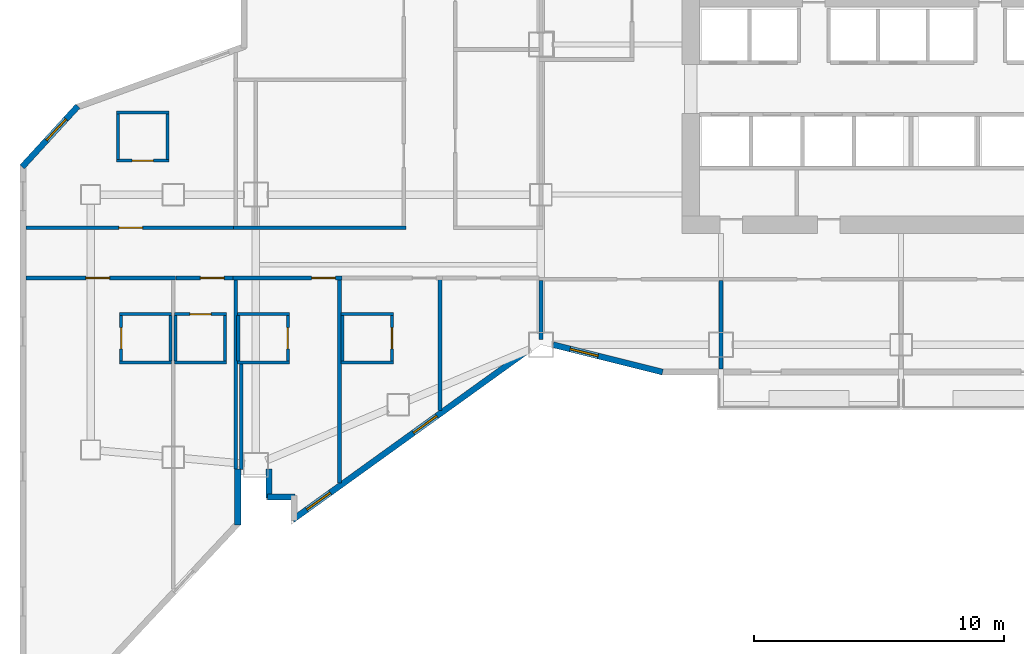
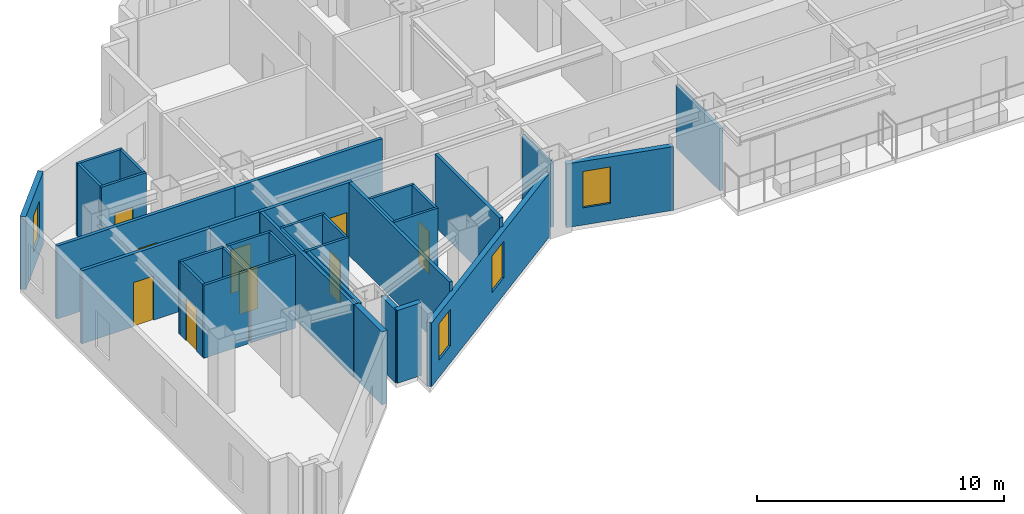
# One storey, part 5 of 14: 37 walls, 9 doors, 4 windows, 13 openings.
"""IFC4 building model written with IfcOpenShell, lengths in metres."""

import ifcopenshell
import ifcopenshell.guid

model = None  # the IFC model being written
_history = None  # IfcOwnerHistory: only IFC2X3 demands one
_inside = {}  # id of a spatial element -> (the spatial element, [elements in it])
_under = {}  # id of a project, library or spatial element -> (it, [spatial elements below it])
_declared = {}  # id of a project -> (the project, [libraries it declares])
_typed = {}  # id of a type object -> (the type object, [elements of that type])
_made_of = {}  # id of a material, layer set ... -> (it, [elements and type objects made of it])


def new_model(schema):
    """Start an empty IFC model of exactly this schema.

    Asked for "IFC4X3", IfcOpenShell would pick the latest addendum, in which some entities
    have other attributes; the version numbers below select the first issue.
    IFC2X3 requires an IfcOwnerHistory on every rooted entity: one is made here for all.
    """
    global model, _history
    if schema == "IFC4X3":
        model = ifcopenshell.file(schema_version=(4, 3, 0, 0))
    else:
        model = ifcopenshell.file(schema=schema)
    _inside.clear()
    _under.clear()
    _declared.clear()
    _typed.clear()
    _made_of.clear()
    _history = None
    if model.schema == "IFC2X3":
        org = make("IfcOrganization", Name="unknown")
        user = make(
            "IfcPersonAndOrganization",
            ThePerson=make("IfcPerson", FamilyName="unknown"),
            TheOrganization=org,
        )
        app = make(
            "IfcApplication",
            ApplicationDeveloper=org,
            Version="unknown",
            ApplicationFullName="unknown",
            ApplicationIdentifier="unknown",
        )
        _history = make(
            "IfcOwnerHistory",
            OwningUser=user,
            OwningApplication=app,
            ChangeAction="ADDED",
            CreationDate=0,
        )
    return model


def make(cls, **values):
    """One entity of the class cls with the attributes given. An attribute that is None is left unset."""
    return model.create_entity(
        cls, **{name: value for name, value in values.items() if value is not None}
    )


def rooted(cls, **values):
    """An entity with a GlobalId (a new one), such as an element, a storey or a relation."""
    return make(cls, GlobalId=ifcopenshell.guid.new(), OwnerHistory=_history, **values)


def si_unit(unit_type, name, prefix=None):
    """IfcSIUnit, for example si_unit("LENGTHUNIT", "METRE", prefix="MILLI")."""
    return make("IfcSIUnit", UnitType=unit_type, Prefix=prefix, Name=name)


def assignment(units):
    """IfcUnitAssignment: the units of a project."""
    return None if units is None else make("IfcUnitAssignment", Units=units)


def point(xyz):
    """IfcCartesianPoint."""
    return None if xyz is None else make("IfcCartesianPoint", Coordinates=xyz)


def direction(xyz):
    """IfcDirection."""
    return None if xyz is None else make("IfcDirection", DirectionRatios=xyz)


def frame(location, z_axis=None, x_axis=None):
    """IfcAxis2Placement3D, a coordinate frame: its origin and axes. An axis left out is left unset."""
    return make(
        "IfcAxis2Placement3D",
        Location=point(location),
        Axis=direction(z_axis),
        RefDirection=direction(x_axis),
    )


def frame_2d(location, x_axis=None):
    """IfcAxis2Placement2D, a coordinate frame in the plane: its origin and x axis."""
    return make(
        "IfcAxis2Placement2D", Location=point(location), RefDirection=direction(x_axis)
    )


def origin():
    """The frame at (0, 0, 0) with its axes left unset."""
    return frame((0.0, 0.0, 0.0))


def place(relative_to, where):
    """IfcLocalPlacement: puts the frame where relative to a parent placement (None: the world)."""
    return make(
        "IfcLocalPlacement", PlacementRelTo=relative_to, RelativePlacement=where
    )


def context(
    kind, dimensions, precision=None, world=None, true_north=None, identifier=None
):
    """IfcGeometricRepresentationContext, for example the 3D "Model" context."""
    return make(
        "IfcGeometricRepresentationContext",
        ContextIdentifier=identifier,
        ContextType=kind,
        CoordinateSpaceDimension=dimensions,
        Precision=precision,
        WorldCoordinateSystem=world,
        TrueNorth=true_north,
    )


def subcontext(parent, identifier, kind, view, scale=None):
    """IfcGeometricRepresentationSubContext, for example "Body" below "Model"."""
    return make(
        "IfcGeometricRepresentationSubContext",
        ContextIdentifier=identifier,
        ContextType=kind,
        ParentContext=parent,
        TargetScale=scale,
        TargetView=view,
    )


def project(units=None, contexts=None):
    """IfcProject with its units and contexts."""
    return rooted(
        "IfcProject",
        Name="project",
        RepresentationContexts=contexts,
        UnitsInContext=assignment(units),
    )


def spatial(cls, under=None, at=None, **own):
    """A site, building, storey or space (cls), placed at a placement, below another one or the project."""
    s = rooted(cls, ObjectPlacement=at, **own)
    if under is not None:
        _under.setdefault(under.id(), (under, []))[1].append(s)
    return s


def profile(cls, at=None, kind="AREA", **sizes):
    """A parametric profile (cls). Its sizes go by their IFC names, for example OverallWidth=200.0."""
    return make(cls, ProfileType=kind, Position=at, **sizes)


def rectangle(**sizes):
    """IfcRectangleProfileDef."""
    return profile("IfcRectangleProfileDef", **sizes)


def extrude(swept, where, along, depth):
    """IfcExtrudedAreaSolid: the profile swept, set in the frame where, extruded along a direction by depth."""
    return make(
        "IfcExtrudedAreaSolid",
        SweptArea=swept,
        Position=where,
        ExtrudedDirection=direction(along),
        Depth=depth,
    )


def shape(context_of_items, identifier, shape_type, items):
    """IfcShapeRepresentation: the items that make up one representation, for example the "Body"."""
    return make(
        "IfcShapeRepresentation",
        ContextOfItems=context_of_items,
        RepresentationIdentifier=identifier,
        RepresentationType=shape_type,
        Items=items,
    )


def material(Name=None, Category=None):
    """IfcMaterial."""
    return make("IfcMaterial", Name=Name, Category=Category)


def layer(
    of_material, thickness, ventilated=None, Name=None, Category=None, Priority=None
):
    """IfcMaterialLayer: one layer of a wall or slab, of a material (None: an air gap)."""
    return make(
        "IfcMaterialLayer",
        Material=of_material,
        LayerThickness=thickness,
        IsVentilated=ventilated,
        Name=Name,
        Category=Category,
        Priority=Priority,
    )


def layer_set(layers, Name=None):
    """IfcMaterialLayerSet."""
    return make("IfcMaterialLayerSet", MaterialLayers=layers, LayerSetName=Name)


def made_of(thing, what):
    """Note that an element or type object is made of a material, layer set ...; save() writes the relation."""
    if what is not None:
        _made_of.setdefault(what.id(), (what, []))[1].append(thing)
    return thing


def type_object(cls, material=None, **own):
    """A type object (cls), such as IfcWallType, which elements share."""
    return made_of(rooted(cls, **own), material)


def element(
    cls,
    number,
    at=None,
    inside=None,
    cuts=None,
    type_object=None,
    material=None,
    context=None,
    identifier="Body",
    shape_type=None,
    held_by="IfcProductDefinitionShape",
    body=None,
    shapes=None,
    **own,
):
    """One element of the class cls, such as IfcWall. Its Tag is "e" and its number.

    at: its placement. inside: the storey or other place that contains it. cuts: it is an
    opening in that element (IfcRelVoidsElement). A single representation is given by context,
    identifier, shape_type and body (its items); several are given by shapes. held_by: the class
    of the entity that holds the representations. save() writes the other relations.
    """
    e = rooted(cls, Tag="e%d" % number, ObjectPlacement=at, **own)
    if body is not None:
        shapes = [shape(context, identifier, shape_type, body)]
    if shapes is not None:
        e.Representation = make(held_by, Representations=shapes)
    if inside is not None:
        _inside.setdefault(inside.id(), (inside, []))[1].append(e)
    if cuts is not None:
        rooted(
            "IfcRelVoidsElement", RelatingBuildingElement=cuts, RelatedOpeningElement=e
        )
    if type_object is not None:
        _typed.setdefault(type_object.id(), (type_object, []))[1].append(e)
    return made_of(e, material)


def fill(opening, filler):
    """IfcRelFillsElement: the door or window that sits in an opening."""
    return rooted(
        "IfcRelFillsElement",
        RelatingOpeningElement=opening,
        RelatedBuildingElement=filler,
    )


def aggregate(whole, parts):
    """IfcRelAggregates: a whole, such as a stair, and the parts it consists of."""
    return rooted("IfcRelAggregates", RelatingObject=whole, RelatedObjects=parts)


def save(model, path):
    """Write the relations noted so far, then the file.

    IfcRelAggregates (storeys below a building ...), IfcRelContainedInSpatialStructure (elements
    in a storey), IfcRelDefinesByType, IfcRelAssociatesMaterial and IfcRelDeclares: one each for
    every whole, place, type object, material and project.
    """
    for whole, parts in _under.values():
        aggregate(whole, parts)
    for where, things in _inside.values():
        rooted(
            "IfcRelContainedInSpatialStructure",
            RelatedElements=things,
            RelatingStructure=where,
        )
    for kind, things in _typed.values():
        rooted("IfcRelDefinesByType", RelatedObjects=things, RelatingType=kind)
    for what, things in _made_of.values():
        rooted("IfcRelAssociatesMaterial", RelatedObjects=things, RelatingMaterial=what)
    for by, libraries in _declared.values():
        rooted("IfcRelDeclares", RelatingContext=by, RelatedDefinitions=libraries)
    model.write(path)


model = new_model("IFC4")

# Units and contexts
model_context = context("Model", 3, precision=1e-05, world=origin(), true_north=direction((0.0, 1.0)))
body_context = subcontext(model_context, "Body", "Model", "MODEL_VIEW")
ifc_project = project(units=[si_unit("LENGTHUNIT", "METRE"), si_unit("AREAUNIT", "SQUARE_METRE"), si_unit("VOLUMEUNIT", "CUBIC_METRE"), si_unit("PLANEANGLEUNIT", "RADIAN"), si_unit("MASSUNIT", "GRAM", prefix="KILO")], contexts=[model_context])

# Site, building, storey
site_placement = place(None, origin())
site = spatial("IfcSite", under=ifc_project, at=site_placement, CompositionType="ELEMENT")
building_placement = place(site_placement, origin())
building = spatial("IfcBuilding", under=site, at=building_placement, Name="Haolan Belvedere Tower", CompositionType="ELEMENT")
storey_placement = place(building_placement, frame((0.0, 0.0, 98.39990234375)))
storey = spatial("IfcBuildingStorey", under=building, at=storey_placement, Name="L24", CompositionType="ELEMENT", Elevation=98.39990234375)

# Walls
ifc_material_1 = material(Name="Precast concrete C40/50", Category="concrete")
ifc_layer_1 = layer(ifc_material_1, 0.239990234375, Name="Precast concrete C40/50")
ifc_layer_set_1 = layer_set([ifc_layer_1], Name="Precast concrete C40/50")
wall_type_1 = type_object("IfcWallType", Name="WL-EXT-240", PredefinedType="SOLIDWALL", material=ifc_layer_set_1)
wall_1_placement = place(storey_placement, frame((13.1201171875, 16.639892578125, 0.0), z_axis=(0.0, 0.0, 1.0), x_axis=(0.0, -1.0, 0.0)))
element("IfcWall", 1, at=wall_1_placement, inside=storey, type_object=wall_type_1, Name="L24 pale-metal exterior spandrel wall 2.1", PredefinedType="SOLIDWALL", context=body_context, shape_type="SweptSolid", body=[
    extrude(rectangle(XDim=1.1748046875, YDim=0.239990234375, at=frame_2d((0.58740234375, 0.0))), origin(), (0.0, 0.0, 1.0), 3.60009765625),
])
wall_2_placement = place(storey_placement, frame((13.06494140625, 15.52001953125, 0.0), z_axis=(0.0, 0.0, 1.0), x_axis=(1.0, 0.0, 0.0)))
element("IfcWall", 2, at=wall_2_placement, inside=storey, type_object=wall_type_1, Name="L24 pale-metal exterior spandrel wall 3.1", PredefinedType="SOLIDWALL", context=body_context, shape_type="SweptSolid", body=[
    extrude(rectangle(XDim=1.110107421875, YDim=0.239990234375, at=frame_2d((0.55517578125, 0.0))), origin(), (0.0, 0.0, 1.0), 3.60009765625),
])

# Wall, openings, windows
wall_3_placement = place(storey_placement, frame((14.075439453125, 14.602294921875, 0.0), z_axis=(0.0, 0.0, 1.0), x_axis=(0.811543504691, 0.584291998913, 0.0)))
wall_3 = element("IfcWall", 3, at=wall_3_placement, inside=storey, type_object=wall_type_1, Name="L24 pale-metal exterior spandrel wall 5.1", PredefinedType="SOLIDWALL", context=body_context, shape_type="SweptSolid", body=[
    extrude(rectangle(XDim=11.623046875, YDim=0.239990234375, at=frame_2d((5.8115234375, 0.0))), origin(), (0.0, 0.0, 1.0), 3.14501953125),
])
opening_1_placement = place(wall_3_placement, frame((0.699951171875, 0.0, 0.85009765625)))
opening_1 = element("IfcOpeningElement", 4, at=opening_1_placement, cuts=wall_3, Name="Opening W-02", PredefinedType="OPENING", context=body_context, shape_type="SweptSolid", body=[
    extrude(rectangle(XDim=1.14990234375, YDim=1.800048828125, at=frame_2d((0.574951171875, 0.89990234375))), frame((0.0, 0.1298828125, 0.0), z_axis=(0.0, -1.0, 0.0), x_axis=(1.0, 0.0, 0.0)), (0.0, 0.0, 1.0), 0.260009765625),
])
opening_2_placement = place(wall_3_placement, frame((5.9541015625, 0.0, 0.85009765625)))
opening_2 = element("IfcOpeningElement", 5, at=opening_2_placement, cuts=wall_3, Name="Opening W-02", PredefinedType="OPENING", context=body_context, shape_type="SweptSolid", body=[
    extrude(rectangle(XDim=1.14990234375, YDim=1.800048828125, at=frame_2d((0.574951171875, 0.89990234375))), frame((0.0, 0.1298828125, 0.0), z_axis=(0.0, -1.0, 0.0), x_axis=(1.0, 0.0, 0.0)), (0.0, 0.0, 1.0), 0.260009765625),
])
ifc_material_2 = material(Name="Anodised aluminium 6063-T6 and Low-E glass", Category="aluminium")
window_type = type_object("IfcWindowType", Name="WN-DECO-Z2", PartitioningType="SINGLE_PANEL", PredefinedType="WINDOW", material=ifc_material_2)
window_1_placement = place(opening_1_placement, origin())
window_1 = element("IfcWindow", 6, at=window_1_placement, inside=storey, type_object=window_type, Name="L24 Art Deco chevron window 1", OverallHeight=1.800048828125, OverallWidth=1.14990234375, PartitioningType="SINGLE_PANEL", PredefinedType="WINDOW", context=body_context, shape_type="SweptSolid", body=[
    extrude(rectangle(XDim=1.14990234375, YDim=1.800048828125, at=frame_2d((0.574951171875, 0.89990234375))), frame((0.0, 0.030029296875, 0.0), z_axis=(0.0, -1.0, 0.0), x_axis=(1.0, 0.0, 0.0)), (0.0, 0.0, 1.0), 0.06005859375),
])
fill(opening_1, window_1)
window_2_placement = place(opening_2_placement, origin())
window_2 = element("IfcWindow", 7, at=window_2_placement, inside=storey, type_object=window_type, Name="L24 Art Deco chevron window 2", OverallHeight=1.800048828125, OverallWidth=1.14990234375, PartitioningType="SINGLE_PANEL", PredefinedType="WINDOW", context=body_context, shape_type="SweptSolid", body=[
    extrude(rectangle(XDim=1.14990234375, YDim=1.800048828125, at=frame_2d((0.574951171875, 0.89990234375))), frame((0.0, 0.030029296875, 0.0), z_axis=(0.0, -1.0, 0.0), x_axis=(1.0, 0.0, 0.0)), (0.0, 0.0, 1.0), 0.06005859375),
])
fill(opening_2, window_2)

# Wall, opening, window
wall_4_placement = place(storey_placement, frame((24.491943359375, 21.6005859375, 0.0), z_axis=(0.0, 0.0, 1.0), x_axis=(0.970145683738, -0.242522890311, 0.0)))
wall_4 = element("IfcWall", 8, at=wall_4_placement, inside=storey, type_object=wall_type_1, Name="L24 pale-metal exterior spandrel wall 6.1", PredefinedType="SOLIDWALL", context=body_context, shape_type="SweptSolid", body=[
    extrude(rectangle(XDim=4.510986328125, YDim=0.239990234375, at=frame_2d((2.25537109375, 0.0))), origin(), (0.0, 0.0, 1.0), 3.14501953125),
])
opening_3_placement = place(wall_4_placement, frame((0.699951171875, 0.0, 0.85009765625)))
opening_3 = element("IfcOpeningElement", 9, at=opening_3_placement, cuts=wall_4, Name="Opening W-02", PredefinedType="OPENING", context=body_context, shape_type="SweptSolid", body=[
    extrude(rectangle(XDim=1.14990234375, YDim=1.800048828125, at=frame_2d((0.574951171875, 0.89990234375))), frame((0.0, 0.1298828125, 0.0), z_axis=(0.0, -1.0, 0.0), x_axis=(1.0, 0.0, 0.0)), (0.0, 0.0, 1.0), 0.260009765625),
])
window_3_placement = place(opening_3_placement, origin())
window_3 = element("IfcWindow", 10, at=window_3_placement, inside=storey, type_object=window_type, Name="L24 Art Deco chevron window 1", OverallHeight=1.800048828125, OverallWidth=1.14990234375, PartitioningType="SINGLE_PANEL", PredefinedType="WINDOW", context=body_context, shape_type="SweptSolid", body=[
    extrude(rectangle(XDim=1.14990234375, YDim=1.800048828125, at=frame_2d((0.574951171875, 0.89990234375))), frame((0.0, 0.030029296875, 0.0), z_axis=(0.0, -1.0, 0.0), x_axis=(1.0, 0.0, 0.0)), (0.0, 0.0, 1.0), 0.06005859375),
])
fill(opening_3, window_3)

wall_5_placement = place(storey_placement, frame((5.48583984375, 31.1376953125, 0.0), z_axis=(0.0, 0.0, 1.0), x_axis=(-0.675791838304, -0.737092525591, 0.0)))
wall_5 = element("IfcWall", 11, at=wall_5_placement, inside=storey, type_object=wall_type_1, Name="L24 pale-metal exterior spandrel wall 43.1", PredefinedType="SOLIDWALL", context=body_context, shape_type="SweptSolid", body=[
    extrude(rectangle(XDim=3.289794921875, YDim=0.239990234375, at=frame_2d((1.64501953125, 0.0))), origin(), (0.0, 0.0, 1.0), 3.60009765625),
])
opening_4_placement = place(wall_5_placement, frame((0.699951171875, 0.0, 0.85009765625)))
opening_4 = element("IfcOpeningElement", 12, at=opening_4_placement, cuts=wall_5, Name="Opening W-02", PredefinedType="OPENING", context=body_context, shape_type="SweptSolid", body=[
    extrude(rectangle(XDim=1.14990234375, YDim=1.800048828125, at=frame_2d((0.574951171875, 0.89990234375))), frame((0.0, 0.1298828125, 0.0), z_axis=(0.0, -1.0, 0.0), x_axis=(1.0, 0.0, 0.0)), (0.0, 0.0, 1.0), 0.260009765625),
])
window_4_placement = place(opening_4_placement, origin())
window_4 = element("IfcWindow", 13, at=window_4_placement, inside=storey, type_object=window_type, Name="L24 Art Deco chevron window 1", OverallHeight=1.800048828125, OverallWidth=1.14990234375, PartitioningType="SINGLE_PANEL", PredefinedType="WINDOW", context=body_context, shape_type="SweptSolid", body=[
    extrude(rectangle(XDim=1.14990234375, YDim=1.800048828125, at=frame_2d((0.574951171875, 0.89990234375))), frame((0.0, 0.030029296875, 0.0), z_axis=(0.0, -1.0, 0.0), x_axis=(1.0, 0.0, 0.0)), (0.0, 0.0, 1.0), 0.06005859375),
])
fill(opening_4, window_4)

# Walls
wall_6_placement = place(storey_placement, frame((11.8798828125, 14.392333984375, 0.0), z_axis=(0.0, 0.0, 1.0), x_axis=(0.0, 1.0, 0.0)))
element("IfcWall", 14, at=wall_6_placement, inside=storey, type_object=wall_type_1, Name="L24 pale-metal exterior spandrel wall 50.1", PredefinedType="SOLIDWALL", context=body_context, shape_type="SweptSolid", body=[
    extrude(rectangle(XDim=2.24755859375, YDim=0.239990234375, at=frame_2d((1.123779296875, 0.0))), origin(), (0.0, 0.0, 1.0), 3.60009765625),
])
ifc_material_3 = material(Name="Double gypsum acoustic stud partition", Category="masonry")
ifc_layer_2 = layer(ifc_material_3, 0.14990234375, Name="Double gypsum acoustic stud partition")
ifc_layer_set_2 = layer_set([ifc_layer_2], Name="Double gypsum acoustic stud partition")
wall_type_2 = type_object("IfcWallType", Name="WL-PART-150", PredefinedType="PARTITIONING", material=ifc_layer_set_2)
wall_7_placement = place(storey_placement, frame((24.0, 21.818603515625, 0.0), z_axis=(0.0, 0.0, 1.0), x_axis=(0.0, 1.0, 0.0)))
element("IfcWall", 15, at=wall_7_placement, inside=storey, type_object=wall_type_2, Name="L24 interior partition IW-L24-KS1-W", PredefinedType="PARTITIONING", context=body_context, shape_type="SweptSolid", body=[
    extrude(rectangle(XDim=2.34130859375, YDim=0.14990234375, at=frame_2d((1.170654296875, 0.0))), origin(), (0.0, 0.0, 1.0), 3.14501953125),
])
wall_8_placement = place(storey_placement, frame((31.199951171875, 20.625, 0.0), z_axis=(0.0, 0.0, 1.0), x_axis=(0.0, 1.0, 0.0)))
element("IfcWall", 16, at=wall_8_placement, inside=storey, type_object=wall_type_2, Name="L24 interior partition IW-L24-KS1-E", PredefinedType="PARTITIONING", context=body_context, shape_type="SweptSolid", body=[
    extrude(rectangle(XDim=3.534912109375, YDim=0.14990234375, at=frame_2d((1.767578125, 0.0))), origin(), (0.0, 0.0, 1.0), 3.085205078125),
])
wall_9_placement = place(storey_placement, frame((11.719970703125, 26.280029296875, 0.0), z_axis=(0.0, 0.0, 1.0), x_axis=(1.0, 0.0, 0.0)))
element("IfcWall", 17, at=wall_9_placement, inside=storey, type_object=wall_type_2, Name="L24 interior partition IW-L24-T2W1-S", PredefinedType="PARTITIONING", context=body_context, shape_type="SweptSolid", body=[
    extrude(rectangle(XDim=6.880126953125, YDim=0.14990234375, at=frame_2d((3.43994140625, 0.0))), origin(), (0.0, 0.0, 1.0), 3.60009765625),
])

# Wall, opening, door
wall_10_placement = place(storey_placement, frame((11.699951171875, 24.27001953125, 0.0), z_axis=(0.0, 0.0, 1.0), x_axis=(1.0, 0.0, 0.0)))
wall_10 = element("IfcWall", 18, at=wall_10_placement, inside=storey, type_object=wall_type_2, Name="L24 interior partition IW-L24-T2S1-N", PredefinedType="PARTITIONING", context=body_context, shape_type="SweptSolid", body=[
    extrude(rectangle(XDim=4.35009765625, YDim=0.14990234375, at=frame_2d((2.175048828125, 0.0))), origin(), (0.0, 0.0, 1.0), 3.60009765625),
])
opening_5_placement = place(wall_10_placement, frame((4.079833984375, 0.0, 0.0), z_axis=(0.0, 0.0, 1.0), x_axis=(-1.0, 0.0, 0.0)))
opening_5 = element("IfcOpeningElement", 19, at=opening_5_placement, cuts=wall_10, Name="Opening ID-02", PredefinedType="OPENING", context=body_context, shape_type="SweptSolid", body=[
    extrude(rectangle(XDim=0.949951171875, YDim=2.14990234375, at=frame_2d((0.47509765625, 1.074951171875))), frame((0.0, 0.0849609375, 0.0), z_axis=(0.0, -1.0, 0.0), x_axis=(1.0, 0.0, 0.0)), (0.0, 0.0, 1.0), 0.169921875),
])
ifc_material_4 = material(Name="Acoustic oak veneer fire-rated timber", Category="wood")
door_type_1 = type_object("IfcDoorType", Name="DR-GUEST-950", OperationType="NOTDEFINED", PredefinedType="DOOR", material=ifc_material_4)
door_1_placement = place(opening_5_placement, origin())
door_1 = element("IfcDoor", 20, at=door_1_placement, inside=storey, type_object=door_type_1, Name="L24 door ID-L24-T2S1-ENT", OperationType="SINGLE_SWING_LEFT", OverallHeight=2.14990234375, OverallWidth=0.949951171875, PredefinedType="DOOR", context=body_context, shape_type="SweptSolid", body=[
    extrude(rectangle(XDim=0.949951171875, YDim=2.14990234375, at=frame_2d((0.47509765625, 1.074951171875))), frame((0.0, 0.02490234375, 0.0), z_axis=(0.0, -1.0, 0.0), x_axis=(1.0, 0.0, 0.0)), (0.0, 0.0, 1.0), 0.050048828125),
])
fill(opening_5, door_1)

# Walls
wall_11_placement = place(storey_placement, frame((11.800048828125, 16.64208984375, 0.0), z_axis=(0.0, 0.0, 1.0), x_axis=(0.0, 1.0, 0.0)))
element("IfcWall", 21, at=wall_11_placement, inside=storey, type_object=wall_type_2, Name="L24 interior partition IW-L24-T2S1-W", PredefinedType="PARTITIONING", context=body_context, shape_type="SweptSolid", body=[
    extrude(rectangle(XDim=7.56787109375, YDim=0.14990234375, at=frame_2d((3.783935546875, 0.0))), origin(), (0.0, 0.0, 1.0), 3.60009765625),
])
wall_12_placement = place(storey_placement, frame((15.949951171875, 16.081298828125, 0.0), z_axis=(0.0, 0.0, 1.0), x_axis=(0.0, 1.0, 0.0)))
element("IfcWall", 22, at=wall_12_placement, inside=storey, type_object=wall_type_2, Name="L24 interior partition IW-L24-T2S1-E", PredefinedType="PARTITIONING", context=body_context, shape_type="SweptSolid", body=[
    extrude(rectangle(XDim=8.128662109375, YDim=0.14990234375, at=frame_2d((4.064453125, 0.0))), origin(), (0.0, 0.0, 1.0), 3.60009765625),
])
wall_13_placement = place(storey_placement, frame((19.969970703125, 18.9755859375, 0.0), z_axis=(0.0, 0.0, 1.0), x_axis=(0.0, 1.0, 0.0)))
element("IfcWall", 23, at=wall_13_placement, inside=storey, type_object=wall_type_2, Name="L24 interior partition IW-L24-T2S2-E", PredefinedType="PARTITIONING", context=body_context, shape_type="SweptSolid", body=[
    extrude(rectangle(XDim=5.234375, YDim=0.14990234375, at=frame_2d((2.6171875, 0.0))), origin(), (0.0, 0.0, 1.0), 3.60009765625),
])

# Wall, opening, door
wall_14_placement = place(storey_placement, frame((3.405029296875, 24.27001953125, 0.0), z_axis=(0.0, 0.0, 1.0), x_axis=(1.0, 0.0, 0.0)))
wall_14 = element("IfcWall", 24, at=wall_14_placement, inside=storey, type_object=wall_type_2, Name="L24 interior partition IW-L24-T1S1-N", PredefinedType="PARTITIONING", context=body_context, shape_type="SweptSolid", body=[
    extrude(rectangle(XDim=5.994873046875, YDim=0.14990234375, at=frame_2d((2.99755859375, 0.0))), origin(), (0.0, 0.0, 1.0), 3.60009765625),
])
opening_6_placement = place(wall_14_placement, frame((3.35498046875, 0.0, 0.0), z_axis=(0.0, 0.0, 1.0), x_axis=(-1.0, 0.0, 0.0)))
opening_6 = element("IfcOpeningElement", 25, at=opening_6_placement, cuts=wall_14, Name="Opening ID-01", PredefinedType="OPENING", context=body_context, shape_type="SweptSolid", body=[
    extrude(rectangle(XDim=0.949951171875, YDim=2.179931640625, at=frame_2d((0.47509765625, 1.08984375))), frame((0.0, 0.0849609375, 0.0), z_axis=(0.0, -1.0, 0.0), x_axis=(1.0, 0.0, 0.0)), (0.0, 0.0, 1.0), 0.169921875),
])
ifc_material_5 = material(Name="Acoustic walnut veneer fire-rated timber", Category="wood")
door_type_2 = type_object("IfcDoorType", Name="DR-SUITE-950", OperationType="NOTDEFINED", PredefinedType="DOOR", material=ifc_material_5)
door_2_placement = place(opening_6_placement, origin())
door_2 = element("IfcDoor", 26, at=door_2_placement, inside=storey, type_object=door_type_2, Name="L24 door ID-L24-T1S1-ENT", OperationType="SINGLE_SWING_RIGHT", OverallHeight=2.179931640625, OverallWidth=0.949951171875, PredefinedType="DOOR", context=body_context, shape_type="SweptSolid", body=[
    extrude(rectangle(XDim=0.949951171875, YDim=2.179931640625, at=frame_2d((0.47509765625, 1.08984375))), frame((0.0, 0.02490234375, 0.0), z_axis=(0.0, -1.0, 0.0), x_axis=(1.0, 0.0, 0.0)), (0.0, 0.0, 1.0), 0.050048828125),
])
fill(opening_6, door_2)

wall_15_placement = place(storey_placement, frame((9.402099609375, 24.27001953125, 0.0), z_axis=(0.0, 0.0, 1.0), x_axis=(1.0, 0.0, 0.0)))
wall_15 = element("IfcWall", 27, at=wall_15_placement, inside=storey, type_object=wall_type_2, Name="L24 interior partition IW-L24-T1S2-N", PredefinedType="PARTITIONING", context=body_context, shape_type="SweptSolid", body=[
    extrude(rectangle(XDim=2.2958984375, YDim=0.14990234375, at=frame_2d((1.14794921875, 0.0))), origin(), (0.0, 0.0, 1.0), 3.60009765625),
])
opening_7_placement = place(wall_15_placement, frame((1.93408203125, 0.0, 0.0), z_axis=(0.0, 0.0, 1.0), x_axis=(-1.0, 0.0, 0.0)))
opening_7 = element("IfcOpeningElement", 28, at=opening_7_placement, cuts=wall_15, Name="Opening ID-02", PredefinedType="OPENING", context=body_context, shape_type="SweptSolid", body=[
    extrude(rectangle(XDim=0.949951171875, YDim=2.14990234375, at=frame_2d((0.47509765625, 1.074951171875))), frame((0.0, 0.0849609375, 0.0), z_axis=(0.0, -1.0, 0.0), x_axis=(1.0, 0.0, 0.0)), (0.0, 0.0, 1.0), 0.169921875),
])
door_3_placement = place(opening_7_placement, origin())
door_3 = element("IfcDoor", 29, at=door_3_placement, inside=storey, type_object=door_type_1, Name="L24 door ID-L24-T1S2-ENT", OperationType="SINGLE_SWING_LEFT", OverallHeight=2.14990234375, OverallWidth=0.949951171875, PredefinedType="DOOR", context=body_context, shape_type="SweptSolid", body=[
    extrude(rectangle(XDim=0.949951171875, YDim=2.14990234375, at=frame_2d((0.47509765625, 1.074951171875))), frame((0.0, 0.02490234375, 0.0), z_axis=(0.0, -1.0, 0.0), x_axis=(1.0, 0.0, 0.0)), (0.0, 0.0, 1.0), 0.050048828125),
])
fill(opening_7, door_3)

# Wall
wall_16_placement = place(storey_placement, frame((12.02001953125, 16.612060546875, 0.0), z_axis=(0.0, 0.0, 1.0), x_axis=(0.0, 1.0, 0.0)))
element("IfcWall", 30, at=wall_16_placement, inside=storey, type_object=wall_type_2, Name="L24 interior partition IW-L24-T1S2-E", PredefinedType="PARTITIONING", context=body_context, shape_type="SweptSolid", body=[
    extrude(rectangle(XDim=4.242919921875, YDim=0.14990234375, at=frame_2d((2.12158203125, 0.0))), origin(), (0.0, 0.0, 1.0), 3.60009765625),
])

# Wall, opening, door
wall_17_placement = place(storey_placement, frame((3.405029296875, 26.280029296875, 0.0), z_axis=(0.0, 0.0, 1.0), x_axis=(1.0, 0.0, 0.0)))
wall_17 = element("IfcWall", 31, at=wall_17_placement, inside=storey, type_object=wall_type_2, Name="L24 interior partition IW-L24-T1N1-S", PredefinedType="PARTITIONING", context=body_context, shape_type="SweptSolid", body=[
    extrude(rectangle(XDim=8.31298828125, YDim=0.14990234375, at=frame_2d((4.156494140625, 0.0))), origin(), (0.0, 0.0, 1.0), 3.60009765625),
])
opening_8_placement = place(wall_17_placement, frame((3.7216796875, 0.0, 0.0)))
opening_8 = element("IfcOpeningElement", 32, at=opening_8_placement, cuts=wall_17, Name="Opening ID-02", PredefinedType="OPENING", context=body_context, shape_type="SweptSolid", body=[
    extrude(rectangle(XDim=0.949951171875, YDim=2.14990234375, at=frame_2d((0.47509765625, 1.074951171875))), frame((0.0, 0.0849609375, 0.0), z_axis=(0.0, -1.0, 0.0), x_axis=(1.0, 0.0, 0.0)), (0.0, 0.0, 1.0), 0.169921875),
])
door_4_placement = place(opening_8_placement, origin())
door_4 = element("IfcDoor", 33, at=door_4_placement, inside=storey, type_object=door_type_1, Name="L24 door ID-L24-T1N1-ENT", OperationType="SINGLE_SWING_RIGHT", OverallHeight=2.14990234375, OverallWidth=0.949951171875, PredefinedType="DOOR", context=body_context, shape_type="SweptSolid", body=[
    extrude(rectangle(XDim=0.949951171875, YDim=2.14990234375, at=frame_2d((0.47509765625, 1.074951171875))), frame((0.0, 0.02490234375, 0.0), z_axis=(0.0, -1.0, 0.0), x_axis=(1.0, 0.0, 0.0)), (0.0, 0.0, 1.0), 0.050048828125),
])
fill(opening_8, door_4)

# Walls
ifc_material_6 = material(Name="Moisture-resistant gypsum tile partition", Category="masonry")
ifc_layer_3 = layer(ifc_material_6, 0.1201171875, Name="Moisture-resistant gypsum tile partition")
ifc_layer_set_3 = layer_set([ifc_layer_3], Name="Moisture-resistant gypsum tile partition")
wall_type_3 = type_object("IfcWallType", Name="WL-WET-120", PredefinedType="PARTITIONING", material=ifc_layer_set_3)
for number, where, z_axis, x_axis, name in (
    (34, (11.860107421875, 22.820068359375, 0.0), (0.0, 0.0, 1.0), (1.0, 0.0, 0.0), "L24 interior partition IW-L24-T2S1-BN"),
    (35, (11.860107421875, 20.89990234375, 0.0), (0.0, 0.0, 1.0), (1.0, 0.0, 0.0), "L24 interior partition IW-L24-T2S1-BS"),
):
    element("IfcWall", number, at=place(storey_placement, frame(where, z_axis=z_axis, x_axis=x_axis)), inside=storey, type_object=wall_type_3, Name=name, PredefinedType="PARTITIONING", context=body_context, shape_type="SweptSolid", body=[
        extrude(rectangle(XDim=2.079833984375, YDim=0.1201171875, at=frame_2d((1.0400390625, 0.0))), origin(), (0.0, 0.0, 1.0), 3.60009765625),
    ])
wall_18_placement = place(storey_placement, frame((11.89990234375, 20.945068359375, 0.0), z_axis=(0.0, 0.0, 1.0), x_axis=(0.0, 1.0, 0.0)))
element("IfcWall", 36, at=wall_18_placement, inside=storey, type_object=wall_type_3, Name="L24 interior partition IW-L24-T2S1-BW", PredefinedType="PARTITIONING", context=body_context, shape_type="SweptSolid", body=[
    extrude(rectangle(XDim=1.829833984375, YDim=0.1201171875, at=frame_2d((0.9150390625, 0.0))), origin(), (0.0, 0.0, 1.0), 3.60009765625),
])

# Wall, opening, door
wall_19_placement = place(storey_placement, frame((13.8798828125, 20.945068359375, 0.0), z_axis=(0.0, 0.0, 1.0), x_axis=(0.0, 1.0, 0.0)))
wall_19 = element("IfcWall", 37, at=wall_19_placement, inside=storey, type_object=wall_type_3, Name="L24 interior partition IW-L24-T2S1-BE", PredefinedType="PARTITIONING", context=body_context, shape_type="SweptSolid", body=[
    extrude(rectangle(XDim=1.829833984375, YDim=0.1201171875, at=frame_2d((0.9150390625, 0.0))), origin(), (0.0, 0.0, 1.0), 3.60009765625),
])
opening_9_placement = place(wall_19_placement, frame((0.489990234375, 0.0, 0.0)))
opening_9 = element("IfcOpeningElement", 38, at=opening_9_placement, cuts=wall_19, Name="Opening ID-05", PredefinedType="OPENING", context=body_context, shape_type="SweptSolid", body=[
    extrude(rectangle(XDim=0.85009765625, YDim=2.10009765625, at=frame_2d((0.425048828125, 1.050048828125))), frame((0.0, 0.070068359375, 0.0), z_axis=(0.0, -1.0, 0.0), x_axis=(1.0, 0.0, 0.0)), (0.0, 0.0, 1.0), 0.14013671875),
])
ifc_material_7 = material(Name="Moisture-resistant lacquered timber", Category="wood")
door_type_3 = type_object("IfcDoorType", Name="DR-BATH-850", OperationType="NOTDEFINED", PredefinedType="DOOR", material=ifc_material_7)
door_5_placement = place(opening_9_placement, origin())
door_5 = element("IfcDoor", 39, at=door_5_placement, inside=storey, type_object=door_type_3, Name="L24 door ID-L24-T2S1-BATH", OperationType="SINGLE_SWING_RIGHT", OverallHeight=2.10009765625, OverallWidth=0.85009765625, PredefinedType="DOOR", context=body_context, shape_type="SweptSolid", body=[
    extrude(rectangle(XDim=0.85009765625, YDim=2.10009765625, at=frame_2d((0.425048828125, 1.050048828125))), frame((0.0, 0.02490234375, 0.0), z_axis=(0.0, -1.0, 0.0), x_axis=(1.0, 0.0, 0.0)), (0.0, 0.0, 1.0), 0.050048828125),
])
fill(opening_9, door_5)

# Walls
for number, where, z_axis, x_axis, name in (
    (40, (16.010009765625, 22.820068359375, 0.0), (0.0, 0.0, 1.0), (1.0, 0.0, 0.0), "L24 interior partition IW-L24-T2S2-BN"),
    (41, (16.010009765625, 20.89990234375, 0.0), (0.0, 0.0, 1.0), (1.0, 0.0, 0.0), "L24 interior partition IW-L24-T2S2-BS"),
):
    element("IfcWall", number, at=place(storey_placement, frame(where, z_axis=z_axis, x_axis=x_axis)), inside=storey, type_object=wall_type_3, Name=name, PredefinedType="PARTITIONING", context=body_context, shape_type="SweptSolid", body=[
        extrude(rectangle(XDim=2.094970703125, YDim=0.1201171875, at=frame_2d((1.04736328125, 0.0))), origin(), (0.0, 0.0, 1.0), 3.60009765625),
    ])
wall_20_placement = place(storey_placement, frame((16.06494140625, 20.945068359375, 0.0), z_axis=(0.0, 0.0, 1.0), x_axis=(0.0, 1.0, 0.0)))
element("IfcWall", 42, at=wall_20_placement, inside=storey, type_object=wall_type_3, Name="L24 interior partition IW-L24-T2S2-BW", PredefinedType="PARTITIONING", context=body_context, shape_type="SweptSolid", body=[
    extrude(rectangle(XDim=1.829833984375, YDim=0.1201171875, at=frame_2d((0.9150390625, 0.0))), origin(), (0.0, 0.0, 1.0), 3.60009765625),
])

# Wall, opening, door
wall_21_placement = place(storey_placement, frame((18.044921875, 20.945068359375, 0.0), z_axis=(0.0, 0.0, 1.0), x_axis=(0.0, 1.0, 0.0)))
wall_21 = element("IfcWall", 43, at=wall_21_placement, inside=storey, type_object=wall_type_3, Name="L24 interior partition IW-L24-T2S2-BE", PredefinedType="PARTITIONING", context=body_context, shape_type="SweptSolid", body=[
    extrude(rectangle(XDim=1.829833984375, YDim=0.1201171875, at=frame_2d((0.9150390625, 0.0))), origin(), (0.0, 0.0, 1.0), 3.60009765625),
])
opening_10_placement = place(wall_21_placement, frame((0.489990234375, 0.0, 0.0)))
opening_10 = element("IfcOpeningElement", 44, at=opening_10_placement, cuts=wall_21, Name="Opening ID-05", PredefinedType="OPENING", context=body_context, shape_type="SweptSolid", body=[
    extrude(rectangle(XDim=0.85009765625, YDim=2.10009765625, at=frame_2d((0.425048828125, 1.050048828125))), frame((0.0, 0.070068359375, 0.0), z_axis=(0.0, -1.0, 0.0), x_axis=(1.0, 0.0, 0.0)), (0.0, 0.0, 1.0), 0.14013671875),
])
door_6_placement = place(opening_10_placement, origin())
door_6 = element("IfcDoor", 45, at=door_6_placement, inside=storey, type_object=door_type_3, Name="L24 door ID-L24-T2S2-BATH", OperationType="SINGLE_SWING_LEFT", OverallHeight=2.10009765625, OverallWidth=0.85009765625, PredefinedType="DOOR", context=body_context, shape_type="SweptSolid", body=[
    extrude(rectangle(XDim=0.85009765625, YDim=2.10009765625, at=frame_2d((0.425048828125, 1.050048828125))), frame((0.0, 0.02490234375, 0.0), z_axis=(0.0, -1.0, 0.0), x_axis=(1.0, 0.0, 0.0)), (0.0, 0.0, 1.0), 0.050048828125),
])
fill(opening_10, door_6)

# Walls
for number, where, z_axis, x_axis, name in (
    (46, (7.159912109375, 22.820068359375, 0.0), (0.0, 0.0, 1.0), (1.0, 0.0, 0.0), "L24 interior partition IW-L24-T1S1-BN"),
    (47, (7.159912109375, 20.89990234375, 0.0), (0.0, 0.0, 1.0), (1.0, 0.0, 0.0), "L24 interior partition IW-L24-T1S1-BS"),
):
    element("IfcWall", number, at=place(storey_placement, frame(where, z_axis=z_axis, x_axis=x_axis)), inside=storey, type_object=wall_type_3, Name=name, PredefinedType="PARTITIONING", context=body_context, shape_type="SweptSolid", body=[
        extrude(rectangle(XDim=2.080078125, YDim=0.1201171875, at=frame_2d((1.0400390625, 0.0))), origin(), (0.0, 0.0, 1.0), 3.60009765625),
    ])

# Wall, opening, door
wall_22_placement = place(storey_placement, frame((7.219970703125, 20.945068359375, 0.0), z_axis=(0.0, 0.0, 1.0), x_axis=(0.0, 1.0, 0.0)))
wall_22 = element("IfcWall", 48, at=wall_22_placement, inside=storey, type_object=wall_type_3, Name="L24 interior partition IW-L24-T1S1-BW", PredefinedType="PARTITIONING", context=body_context, shape_type="SweptSolid", body=[
    extrude(rectangle(XDim=1.829833984375, YDim=0.1201171875, at=frame_2d((0.9150390625, 0.0))), origin(), (0.0, 0.0, 1.0), 3.60009765625),
])
opening_11_placement = place(wall_22_placement, frame((1.340087890625, 0.0, 0.0), z_axis=(0.0, 0.0, 1.0), x_axis=(-1.0, 0.0, 0.0)))
opening_11 = element("IfcOpeningElement", 49, at=opening_11_placement, cuts=wall_22, Name="Opening ID-05", PredefinedType="OPENING", context=body_context, shape_type="SweptSolid", body=[
    extrude(rectangle(XDim=0.85009765625, YDim=2.10009765625, at=frame_2d((0.425048828125, 1.050048828125))), frame((0.0, 0.070068359375, 0.0), z_axis=(0.0, -1.0, 0.0), x_axis=(1.0, 0.0, 0.0)), (0.0, 0.0, 1.0), 0.14013671875),
])
door_7_placement = place(opening_11_placement, origin())
door_7 = element("IfcDoor", 50, at=door_7_placement, inside=storey, type_object=door_type_3, Name="L24 door ID-L24-T1S1-BATH", OperationType="SINGLE_SWING_LEFT", OverallHeight=2.10009765625, OverallWidth=0.85009765625, PredefinedType="DOOR", context=body_context, shape_type="SweptSolid", body=[
    extrude(rectangle(XDim=0.85009765625, YDim=2.10009765625, at=frame_2d((0.425048828125, 1.050048828125))), frame((0.0, 0.02490234375, 0.0), z_axis=(0.0, -1.0, 0.0), x_axis=(1.0, 0.0, 0.0)), (0.0, 0.0, 1.0), 0.050048828125),
])
fill(opening_11, door_7)

# Wall
wall_23_placement = place(storey_placement, frame((9.199951171875, 20.945068359375, 0.0), z_axis=(0.0, 0.0, 1.0), x_axis=(0.0, 1.0, 0.0)))
element("IfcWall", 51, at=wall_23_placement, inside=storey, type_object=wall_type_3, Name="L24 interior partition IW-L24-T1S1-BE", PredefinedType="PARTITIONING", context=body_context, shape_type="SweptSolid", body=[
    extrude(rectangle(XDim=1.829833984375, YDim=0.1201171875, at=frame_2d((0.9150390625, 0.0))), origin(), (0.0, 0.0, 1.0), 3.60009765625),
])

# Wall, opening, door
wall_24_placement = place(storey_placement, frame((9.360107421875, 22.820068359375, 0.0), z_axis=(0.0, 0.0, 1.0), x_axis=(1.0, 0.0, 0.0)))
wall_24 = element("IfcWall", 52, at=wall_24_placement, inside=storey, type_object=wall_type_3, Name="L24 interior partition IW-L24-T1S2-BN", PredefinedType="PARTITIONING", context=body_context, shape_type="SweptSolid", body=[
    extrude(rectangle(XDim=2.079833984375, YDim=0.1201171875, at=frame_2d((1.0400390625, 0.0))), origin(), (0.0, 0.0, 1.0), 3.60009765625),
])
opening_12_placement = place(wall_24_placement, frame((1.455078125, 0.0, 0.0), z_axis=(0.0, 0.0, 1.0), x_axis=(-1.0, 0.0, 0.0)))
opening_12 = element("IfcOpeningElement", 53, at=opening_12_placement, cuts=wall_24, Name="Opening ID-05", PredefinedType="OPENING", context=body_context, shape_type="SweptSolid", body=[
    extrude(rectangle(XDim=0.85009765625, YDim=2.10009765625, at=frame_2d((0.425048828125, 1.050048828125))), frame((0.0, 0.070068359375, 0.0), z_axis=(0.0, -1.0, 0.0), x_axis=(1.0, 0.0, 0.0)), (0.0, 0.0, 1.0), 0.14013671875),
])
door_8_placement = place(opening_12_placement, origin())
door_8 = element("IfcDoor", 54, at=door_8_placement, inside=storey, type_object=door_type_3, Name="L24 door ID-L24-T1S2-BATH", OperationType="SINGLE_SWING_RIGHT", OverallHeight=2.10009765625, OverallWidth=0.85009765625, PredefinedType="DOOR", context=body_context, shape_type="SweptSolid", body=[
    extrude(rectangle(XDim=0.85009765625, YDim=2.10009765625, at=frame_2d((0.425048828125, 1.050048828125))), frame((0.0, 0.02490234375, 0.0), z_axis=(0.0, -1.0, 0.0), x_axis=(1.0, 0.0, 0.0)), (0.0, 0.0, 1.0), 0.050048828125),
])
fill(opening_12, door_8)

# Walls
wall_25_placement = place(storey_placement, frame((9.360107421875, 20.89990234375, 0.0), z_axis=(0.0, 0.0, 1.0), x_axis=(1.0, 0.0, 0.0)))
element("IfcWall", 55, at=wall_25_placement, inside=storey, type_object=wall_type_3, Name="L24 interior partition IW-L24-T1S2-BS", PredefinedType="PARTITIONING", context=body_context, shape_type="SweptSolid", body=[
    extrude(rectangle(XDim=2.079833984375, YDim=0.1201171875, at=frame_2d((1.0400390625, 0.0))), origin(), (0.0, 0.0, 1.0), 3.60009765625),
])
for number, where, z_axis, x_axis, name in (
    (56, (9.39990234375, 20.945068359375, 0.0), (0.0, 0.0, 1.0), (0.0, 1.0, 0.0), "L24 interior partition IW-L24-T1S2-BW"),
    (57, (11.3798828125, 20.945068359375, 0.0), (0.0, 0.0, 1.0), (0.0, 1.0, 0.0), "L24 interior partition IW-L24-T1S2-BE"),
):
    element("IfcWall", number, at=place(storey_placement, frame(where, z_axis=z_axis, x_axis=x_axis)), inside=storey, type_object=wall_type_3, Name=name, PredefinedType="PARTITIONING", context=body_context, shape_type="SweptSolid", body=[
        extrude(rectangle(XDim=1.829833984375, YDim=0.1201171875, at=frame_2d((0.9150390625, 0.0))), origin(), (0.0, 0.0, 1.0), 3.60009765625),
    ])
wall_26_placement = place(storey_placement, frame((7.033935546875, 30.87890625, 0.0), z_axis=(0.0, 0.0, 1.0), x_axis=(1.0, 0.0, 0.0)))
element("IfcWall", 58, at=wall_26_placement, inside=storey, type_object=wall_type_3, Name="L24 interior partition IW-L24-T1N1-BN", PredefinedType="PARTITIONING", context=body_context, shape_type="SweptSolid", body=[
    extrude(rectangle(XDim=2.10009765625, YDim=0.1201171875, at=frame_2d((1.050048828125, 0.0))), origin(), (0.0, 0.0, 1.0), 3.60009765625),
])

# Wall, opening, door
wall_27_placement = place(storey_placement, frame((7.033935546875, 28.958984375, 0.0), z_axis=(0.0, 0.0, 1.0), x_axis=(1.0, 0.0, 0.0)))
wall_27 = element("IfcWall", 59, at=wall_27_placement, inside=storey, type_object=wall_type_3, Name="L24 interior partition IW-L24-T1N1-BS", PredefinedType="PARTITIONING", context=body_context, shape_type="SweptSolid", body=[
    extrude(rectangle(XDim=2.10009765625, YDim=0.1201171875, at=frame_2d((1.050048828125, 0.0))), origin(), (0.0, 0.0, 1.0), 3.60009765625),
])
opening_13_placement = place(wall_27_placement, frame((0.625, 0.0, 0.0)))
opening_13 = element("IfcOpeningElement", 60, at=opening_13_placement, cuts=wall_27, Name="Opening ID-05", PredefinedType="OPENING", context=body_context, shape_type="SweptSolid", body=[
    extrude(rectangle(XDim=0.85009765625, YDim=2.10009765625, at=frame_2d((0.425048828125, 1.050048828125))), frame((0.0, 0.070068359375, 0.0), z_axis=(0.0, -1.0, 0.0), x_axis=(1.0, 0.0, 0.0)), (0.0, 0.0, 1.0), 0.14013671875),
])
door_9_placement = place(opening_13_placement, origin())
door_9 = element("IfcDoor", 61, at=door_9_placement, inside=storey, type_object=door_type_3, Name="L24 door ID-L24-T1N1-BATH", OperationType="SINGLE_SWING_LEFT", OverallHeight=2.10009765625, OverallWidth=0.85009765625, PredefinedType="DOOR", context=body_context, shape_type="SweptSolid", body=[
    extrude(rectangle(XDim=0.85009765625, YDim=2.10009765625, at=frame_2d((0.425048828125, 1.050048828125))), frame((0.0, 0.02490234375, 0.0), z_axis=(0.0, -1.0, 0.0), x_axis=(1.0, 0.0, 0.0)), (0.0, 0.0, 1.0), 0.050048828125),
])
fill(opening_13, door_9)

# Walls
for number, where, z_axis, x_axis, name in (
    (62, (7.093994140625, 29.00390625, 0.0), (0.0, 0.0, 1.0), (0.0, 1.0, 0.0), "L24 interior partition IW-L24-T1N1-BW"),
    (63, (9.073974609375, 29.00390625, 0.0), (0.0, 0.0, 1.0), (0.0, 1.0, 0.0), "L24 interior partition IW-L24-T1N1-BE"),
):
    element("IfcWall", number, at=place(storey_placement, frame(where, z_axis=z_axis, x_axis=x_axis)), inside=storey, type_object=wall_type_3, Name=name, PredefinedType="PARTITIONING", context=body_context, shape_type="SweptSolid", body=[
        extrude(rectangle(XDim=1.830078125, YDim=0.1201171875, at=frame_2d((0.9150390625, 0.0))), origin(), (0.0, 0.0, 1.0), 3.60009765625),
    ])

save(model, "model.ifc")
